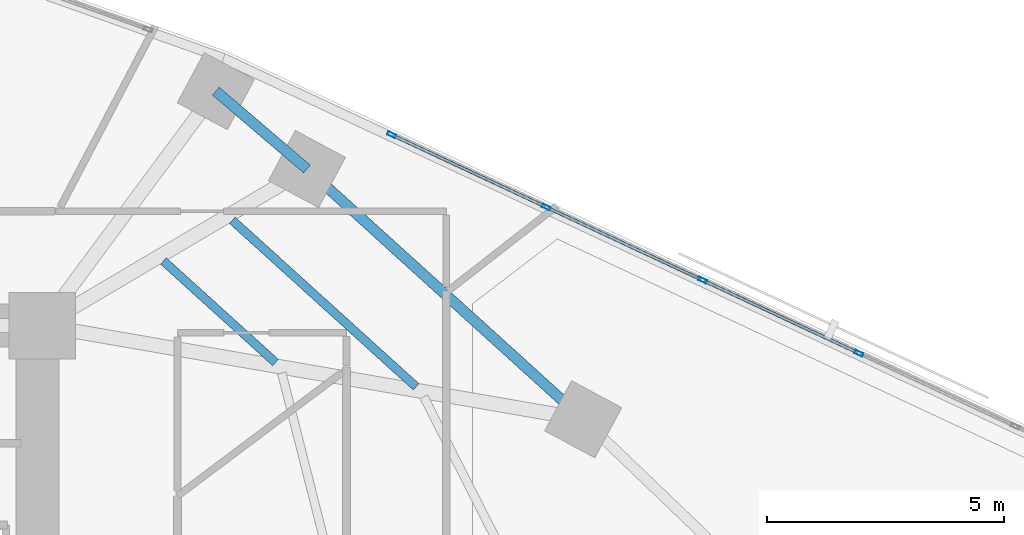
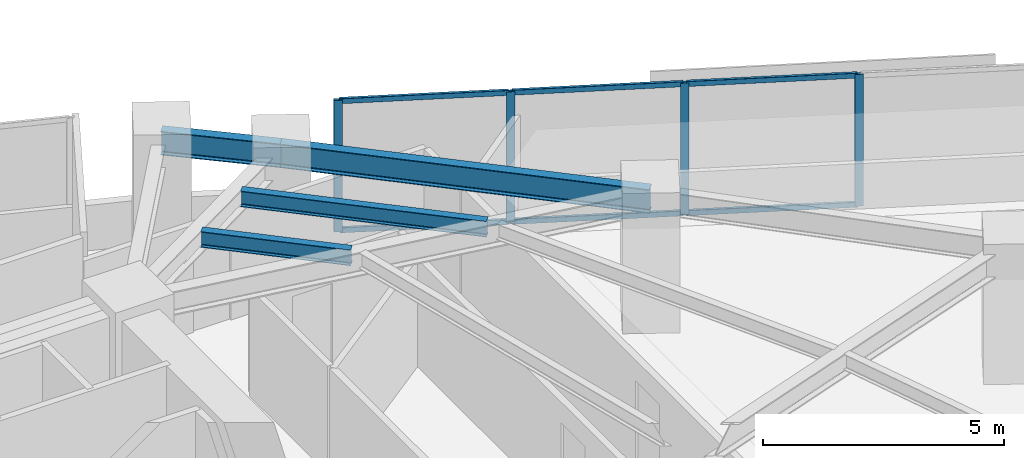
# One storey, part 4 of 14: 10 members, 4 beams, 1 element without a shape of its own.
"""IFC4 building model written with IfcOpenShell, lengths in metres."""

from ifc_helpers import new_model, si_unit, direction, frame, origin, origin_2d, place, context, subcontext, project, spatial, hollow_rectangle, i_section, extrude, material, material_profile, profile_set, type_object, element, aggregate, save


model = new_model("IFC4")

# Units and contexts
model_context = context("Model", 3, precision=1e-05, world=origin(), true_north=direction((0.0, 1.0)))
body_context = subcontext(model_context, "Body", "Model", "MODEL_VIEW")
ifc_project = project(units=[si_unit("LENGTHUNIT", "METRE"), si_unit("AREAUNIT", "SQUARE_METRE"), si_unit("VOLUMEUNIT", "CUBIC_METRE"), si_unit("PLANEANGLEUNIT", "RADIAN"), si_unit("MASSUNIT", "GRAM", prefix="KILO")], contexts=[model_context])

# Site, building, storey
site_placement = place(None, origin())
site = spatial("IfcSite", under=ifc_project, at=site_placement, CompositionType="ELEMENT")
building_placement = place(site_placement, origin())
building = spatial("IfcBuilding", under=site, at=building_placement, Name="Narakoshi Arena Tower", CompositionType="ELEMENT")
storey_placement = place(building_placement, frame((0.0, 0.0, 135.89990234375)))
storey = spatial("IfcBuildingStorey", under=building, at=storey_placement, Name="L36", CompositionType="ELEMENT", Elevation=135.89990234375)

# Beams
ifc_material_1 = material(Name="Structural steel S355J2", Category="steel")
ifc_material_profile_1 = material_profile(ifc_material_1, i_section(OverallWidth=0.219970703125, OverallDepth=0.60009765625, WebThickness=0.011962890625, FlangeThickness=0.01904296875, FilletRadius=0.02392578125, at=origin_2d()), Name="IPE600")
ifc_profile_set_1 = profile_set([ifc_material_profile_1], Name="Structural steel S355J2")
beam_type_1 = type_object("IfcBeamType", Name="BM-EDGE-600", PredefinedType="BEAM", material=ifc_profile_set_1)
beam_1_placement = place(storey_placement, frame((96.9443359375, 54.528076171875, 3.0400390625), z_axis=(-0.741140720169, 0.671349709844, 0.0), x_axis=(-0.671349709844, -0.741140720169, 0.0)))
element("IfcBeam", 1, at=beam_1_placement, inside=storey, type_object=beam_type_1, Name="L36 Perimeter Edge Girder 06", PredefinedType="BEAM", context=body_context, shape_type="SweptSolid", body=[
    extrude(i_section(OverallWidth=0.219970703125, OverallDepth=0.60009765625, WebThickness=0.011962890625, FlangeThickness=0.01904296875, FilletRadius=0.02392578125, at=origin_2d()), origin(), (0.0, 0.0, 1.0), 7.849853515625),
])
beam_2_placement = place(storey_placement, frame((91.12646484375, 59.798095703125, 3.0400390625), z_axis=(-0.760388602298, 0.649468377595, 0.0), x_axis=(-0.649468377595, -0.760388602298, 0.0)))
element("IfcBeam", 2, at=beam_2_placement, inside=storey, type_object=beam_type_1, Name="L36 Perimeter Edge Girder 07", PredefinedType="BEAM", context=body_context, shape_type="SweptSolid", body=[
    extrude(i_section(OverallWidth=0.219970703125, OverallDepth=0.60009765625, WebThickness=0.011962890625, FlangeThickness=0.01904296875, FilletRadius=0.02392578125, at=origin_2d()), origin(), (0.0, 0.0, 1.0), 2.524658203125),
])
ifc_material_profile_2 = material_profile(ifc_material_1, i_section(OverallWidth=0.179931640625, OverallDepth=0.39990234375, WebThickness=0.008544921875, FlangeThickness=0.013427734375, FilletRadius=0.02099609375, at=origin_2d()), Name="IPE400")
ifc_profile_set_2 = profile_set([ifc_material_profile_2], Name="Structural steel S355J2")
beam_type_2 = type_object("IfcBeamType", Name="BM-SEC-400", PredefinedType="JOIST", material=ifc_profile_set_2)
beam_3_placement = place(storey_placement, frame((90.46337890625, 55.722900390625, 3.14013671875), z_axis=(-0.741097827097, 0.671397058879, 0.0), x_axis=(-0.671397058879, -0.741097827097, 0.0)))
element("IfcBeam", 3, at=beam_3_placement, inside=storey, type_object=beam_type_2, Name="L36 Composite Secondary Floor Joist 05", PredefinedType="JOIST", context=body_context, shape_type="SweptSolid", body=[
    extrude(i_section(OverallWidth=0.179931640625, OverallDepth=0.39990234375, WebThickness=0.008544921875, FlangeThickness=0.013427734375, FilletRadius=0.02099609375, at=origin_2d()), origin(), (0.0, 0.0, 1.0), 3.183837890625),
])
beam_4_placement = place(storey_placement, frame((93.426025390625, 55.210205078125, 3.14013671875), z_axis=(-0.741148224451, 0.671341425351, 0.0), x_axis=(-0.671341425351, -0.741148224451, 0.0)))
element("IfcBeam", 4, at=beam_4_placement, inside=storey, type_object=beam_type_2, Name="L36 Composite Secondary Floor Joist 06", PredefinedType="JOIST", context=body_context, shape_type="SweptSolid", body=[
    extrude(i_section(OverallWidth=0.179931640625, OverallDepth=0.39990234375, WebThickness=0.008544921875, FlangeThickness=0.013427734375, FilletRadius=0.02099609375, at=origin_2d()), origin(), (0.0, 0.0, 1.0), 5.22509765625),
])

# Curtain wall, members
ifc_material_2 = material(Name="Anodised bronze aluminium 6063-T6", Category="aluminium")
curtain_wall_type = type_object("IfcCurtainWallType", Name="CW-HYP-MID", PredefinedType="NOTDEFINED", material=ifc_material_2)
curtain_wall_placement = place(storey_placement, origin())
curtain_wall = element("IfcCurtainWall", 5, at=curtain_wall_placement, inside=storey, type_object=curtain_wall_type, Name="L36 Folded Hypotenuse Curtain Wall 1-1", PredefinedType="NOTDEFINED")
ifc_material_profile_3 = material_profile(ifc_material_2, hollow_rectangle(XDim=0.074951171875, YDim=0.179931640625, WallThickness=0.00390625, OuterFilletRadius=0.0048828125, at=origin_2d()), Name="MUL180x75x4")
ifc_profile_set_3 = profile_set([ifc_material_profile_3], Name="Anodised bronze aluminium 6063-T6")
member_type_1 = type_object("IfcMemberType", Name="MEM-MUL-180", PredefinedType="MULLION", material=ifc_profile_set_3)
member_1_placement = place(storey_placement, frame((102.75048828125, 55.917236328125, 0.0), z_axis=(0.0, 0.0, 1.0), x_axis=(-0.423531721612, -0.905881273009, 0.0)))
member_1 = element("IfcMember", 6, at=member_1_placement, type_object=member_type_1, Name="CW-02 mullion 6", PredefinedType="MULLION", context=body_context, shape_type="SweptSolid", body=[
    extrude(hollow_rectangle(XDim=0.074951171875, YDim=0.179931640625, WallThickness=0.00390625, OuterFilletRadius=0.0048828125, at=origin_2d()), origin(), (0.0, 0.0, 1.0), 3.340087890625),
])
member_2_placement = place(storey_placement, frame((99.458984375, 57.4560546875, 0.0), z_axis=(0.0, 0.0, 1.0), x_axis=(-0.423531721612, -0.905881273009, 0.0)))
member_2 = element("IfcMember", 7, at=member_2_placement, type_object=member_type_1, Name="CW-02 mullion 7", PredefinedType="MULLION", context=body_context, shape_type="SweptSolid", body=[
    extrude(hollow_rectangle(XDim=0.074951171875, YDim=0.179931640625, WallThickness=0.00390625, OuterFilletRadius=0.0048828125, at=origin_2d()), origin(), (0.0, 0.0, 1.0), 3.340087890625),
])
member_3_placement = place(storey_placement, frame((96.16748046875, 58.994873046875, 0.0), z_axis=(0.0, 0.0, 1.0), x_axis=(-0.423531721612, -0.905881273009, 0.0)))
member_3 = element("IfcMember", 8, at=member_3_placement, type_object=member_type_1, Name="CW-02 mullion 8", PredefinedType="MULLION", context=body_context, shape_type="SweptSolid", body=[
    extrude(hollow_rectangle(XDim=0.074951171875, YDim=0.179931640625, WallThickness=0.00390625, OuterFilletRadius=0.0048828125, at=origin_2d()), origin(), (0.0, 0.0, 1.0), 3.340087890625),
])
member_4_placement = place(storey_placement, frame((92.91015625, 60.517822265625, 0.0), z_axis=(0.0, 0.0, 1.0), x_axis=(-0.423531721612, -0.905881273009, 0.0)))
member_4 = element("IfcMember", 9, at=member_4_placement, type_object=member_type_1, Name="CW-02 mullion 9", PredefinedType="MULLION", context=body_context, shape_type="SweptSolid", body=[
    extrude(hollow_rectangle(XDim=0.074951171875, YDim=0.179931640625, WallThickness=0.00390625, OuterFilletRadius=0.0048828125, at=origin_2d()), origin(), (0.0, 0.0, 1.0), 3.340087890625),
])
ifc_material_profile_4 = material_profile(ifc_material_2, hollow_rectangle(XDim=0.06494140625, YDim=0.1298828125, WallThickness=0.00390625, OuterFilletRadius=0.0048828125, at=origin_2d()), Name="TRN130x65x4")
ifc_profile_set_4 = profile_set([ifc_material_profile_4], Name="Anodised bronze aluminium 6063-T6")
member_type_2 = type_object("IfcMemberType", Name="MEM-TRN-130", PredefinedType="USERDEFINED", material=ifc_profile_set_4)
member_5_placement = place(storey_placement, frame((102.716552734375, 55.93310546875, 0.03271484375), z_axis=(-0.905877908574, 0.423538917642, 0.0), x_axis=(-0.423538917642, -0.905877908574, 0.0)))
member_5 = element("IfcMember", 10, at=member_5_placement, type_object=member_type_2, Name="CW-02 transom 6.1", ObjectType="TRANSOM", PredefinedType="USERDEFINED", context=body_context, shape_type="SweptSolid", body=[
    extrude(hollow_rectangle(XDim=0.06494140625, YDim=0.1298828125, WallThickness=0.00390625, OuterFilletRadius=0.0048828125, at=origin_2d()), origin(), (0.0, 0.0, 1.0), 3.558349609375),
])
member_6_placement = place(storey_placement, frame((102.716552734375, 55.93310546875, 3.3076171875), z_axis=(-0.905877908574, 0.423538917642, 0.0), x_axis=(-0.423538917642, -0.905877908574, 0.0)))
member_6 = element("IfcMember", 11, at=member_6_placement, type_object=member_type_2, Name="CW-02 transom 6.2", ObjectType="TRANSOM", PredefinedType="USERDEFINED", context=body_context, shape_type="SweptSolid", body=[
    extrude(hollow_rectangle(XDim=0.06494140625, YDim=0.1298828125, WallThickness=0.00390625, OuterFilletRadius=0.0048828125, at=origin_2d()), origin(), (0.0, 0.0, 1.0), 3.558349609375),
])
member_7_placement = place(storey_placement, frame((99.425048828125, 57.471923828125, 0.03271484375), z_axis=(-0.905877908574, 0.423538917642, 0.0), x_axis=(-0.423538917642, -0.905877908574, 0.0)))
member_7 = element("IfcMember", 12, at=member_7_placement, type_object=member_type_2, Name="CW-02 transom 7.1", ObjectType="TRANSOM", PredefinedType="USERDEFINED", context=body_context, shape_type="SweptSolid", body=[
    extrude(hollow_rectangle(XDim=0.06494140625, YDim=0.1298828125, WallThickness=0.00390625, OuterFilletRadius=0.0048828125, at=origin_2d()), origin(), (0.0, 0.0, 1.0), 3.558349609375),
])
member_8_placement = place(storey_placement, frame((99.425048828125, 57.471923828125, 3.3076171875), z_axis=(-0.905877908574, 0.423538917642, 0.0), x_axis=(-0.423538917642, -0.905877908574, 0.0)))
member_8 = element("IfcMember", 13, at=member_8_placement, type_object=member_type_2, Name="CW-02 transom 7.2", ObjectType="TRANSOM", PredefinedType="USERDEFINED", context=body_context, shape_type="SweptSolid", body=[
    extrude(hollow_rectangle(XDim=0.06494140625, YDim=0.1298828125, WallThickness=0.00390625, OuterFilletRadius=0.0048828125, at=origin_2d()), origin(), (0.0, 0.0, 1.0), 3.558349609375),
])
member_9_placement = place(storey_placement, frame((96.133544921875, 59.0107421875, 0.03271484375), z_axis=(-0.9058782068, 0.423538279787, 0.0), x_axis=(-0.423538279787, -0.9058782068, 0.0)))
member_9 = element("IfcMember", 14, at=member_9_placement, type_object=member_type_2, Name="CW-02 transom 8.1", ObjectType="TRANSOM", PredefinedType="USERDEFINED", context=body_context, shape_type="SweptSolid", body=[
    extrude(hollow_rectangle(XDim=0.06494140625, YDim=0.1298828125, WallThickness=0.00390625, OuterFilletRadius=0.0048828125, at=origin_2d()), origin(), (0.0, 0.0, 1.0), 3.520751953125),
])
member_10_placement = place(storey_placement, frame((96.133544921875, 59.0107421875, 3.3076171875), z_axis=(-0.9058782068, 0.423538279787, 0.0), x_axis=(-0.423538279787, -0.9058782068, 0.0)))
member_10 = element("IfcMember", 15, at=member_10_placement, type_object=member_type_2, Name="CW-02 transom 8.2", ObjectType="TRANSOM", PredefinedType="USERDEFINED", context=body_context, shape_type="SweptSolid", body=[
    extrude(hollow_rectangle(XDim=0.06494140625, YDim=0.1298828125, WallThickness=0.00390625, OuterFilletRadius=0.0048828125, at=origin_2d()), origin(), (0.0, 0.0, 1.0), 3.520751953125),
])
aggregate(curtain_wall, [member_1, member_2, member_3, member_4, member_5, member_6, member_7, member_8, member_9, member_10])

save(model, "model.ifc")
